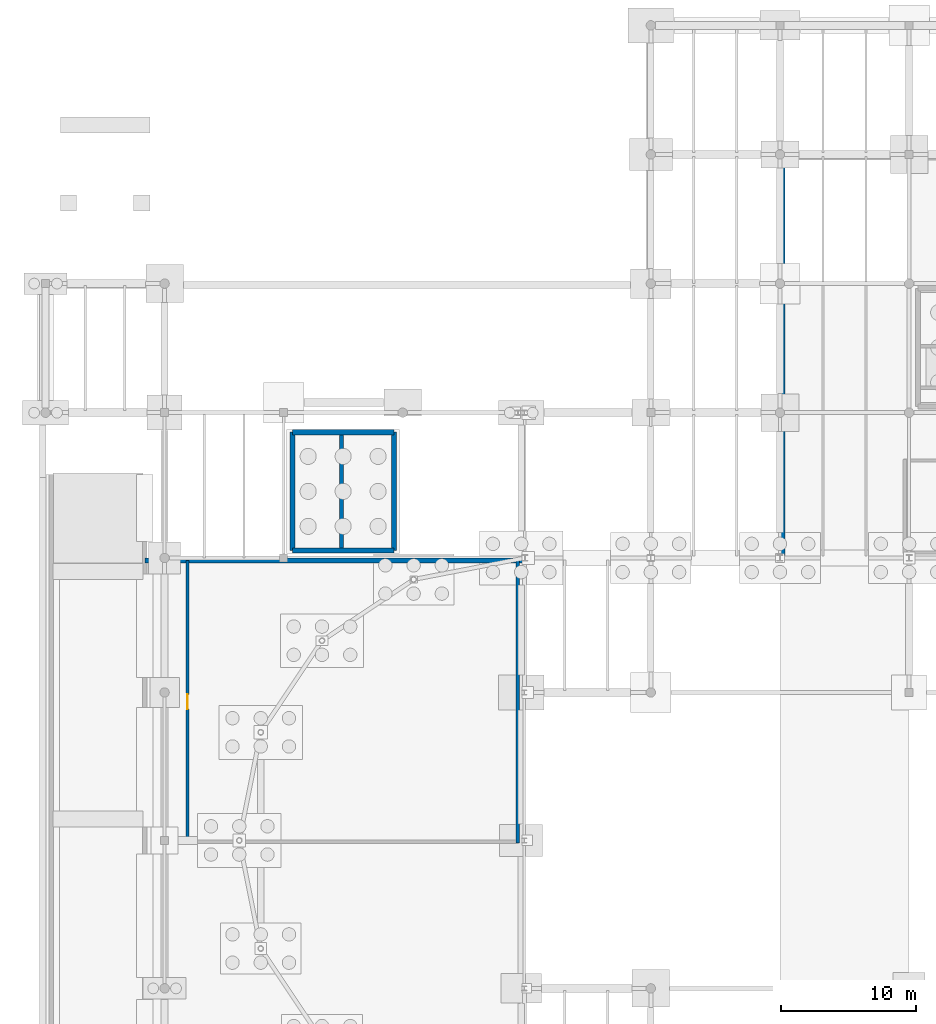
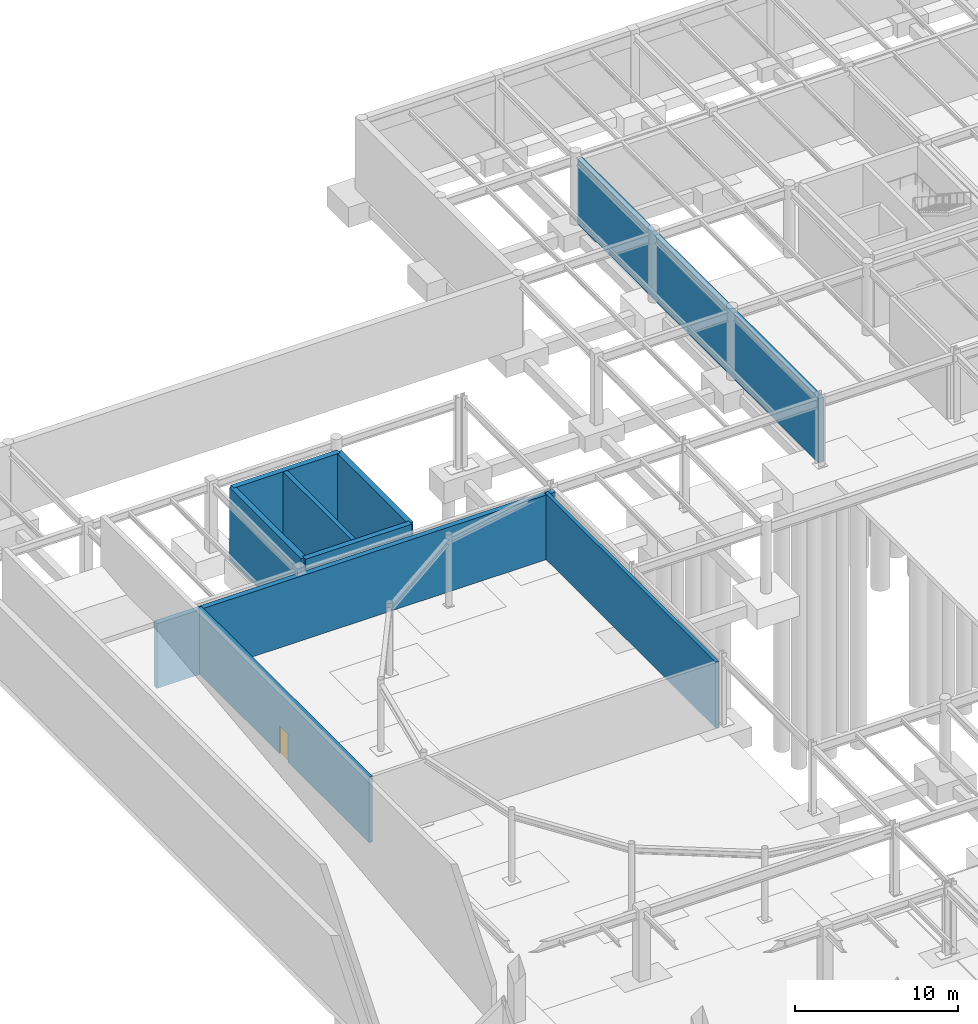
# One storey, part 43 of 50: 9 walls, 1 door, 1 opening.
"""IFC4 building model written with IfcOpenShell, lengths in metres."""

from ifc_helpers import new_model, si_unit, direction, frame, frame_2d, origin, place, context, subcontext, project, spatial, rectangle, extrude, material, layer, layer_set, type_object, element, fill, save


model = new_model("IFC4")

# Units and contexts
model_context = context("Model", 3, precision=1e-05, world=origin(), true_north=direction((0.0, 1.0)))
body_context = subcontext(model_context, "Body", "Model", "MODEL_VIEW")
ifc_project = project(units=[si_unit("LENGTHUNIT", "METRE"), si_unit("AREAUNIT", "SQUARE_METRE"), si_unit("VOLUMEUNIT", "CUBIC_METRE"), si_unit("PLANEANGLEUNIT", "RADIAN"), si_unit("MASSUNIT", "GRAM", prefix="KILO")], contexts=[model_context])

# Site, building, storey
site_placement = place(None, origin())
site = spatial("IfcSite", under=ifc_project, at=site_placement, CompositionType="ELEMENT")
building_placement = place(site_placement, origin())
building = spatial("IfcBuilding", under=site, at=building_placement, Name="Yeouljin Market Hall", CompositionType="ELEMENT")
storey_placement = place(building_placement, frame((0.0, 0.0, -5.39990234375)))
storey = spatial("IfcBuildingStorey", under=building, at=storey_placement, Name="B1", CompositionType="ELEMENT", Elevation=-5.39990234375)

# Wall, opening, door
ifc_material_1 = material(Name="Insulated Cold-Store Panel Assembly")
ifc_layer_1 = layer(ifc_material_1, 0.239990234375)
ifc_layer_set_1 = layer_set([ifc_layer_1], Name="Insulated Cold-Store Panel Assembly")
wall_type_1 = type_object("IfcWallType", Name="Part_ColdStore_240", PredefinedType="PARTITIONING", material=ifc_layer_set_1)
wall_1_placement = place(storey_placement, frame((10.550048828125, 77.800048828125, 0.0), z_axis=(0.0, 0.0, 1.0), x_axis=(0.0, -1.0, 0.0)))
wall_1 = element("IfcWall", 1, at=wall_1_placement, inside=storey, type_object=wall_type_1, Name="Interior partition PART-B1-0020", PredefinedType="PARTITIONING", context=body_context, shape_type="SweptSolid", body=[
    extrude(rectangle(XDim=20.97998046875, YDim=0.239990234375, at=frame_2d((10.489990234375, 0.0))), origin(), (0.0, 0.0, 1.0), 4.919921875),
])
opening_placement = place(wall_1_placement, frame((9.949951171875, 0.0, 0.0)))
opening = element("IfcOpeningElement", 2, at=opening_placement, cuts=wall_1, Name="Opening D-B1-007", PredefinedType="OPENING", context=body_context, shape_type="SweptSolid", body=[
    extrude(rectangle(XDim=1.080078125, YDim=2.10009765625, at=frame_2d((0.5400390625, 1.050048828125))), frame((0.0, 0.1298828125, 0.0), z_axis=(0.0, -1.0, 0.0), x_axis=(1.0, 0.0, 0.0)), (0.0, 0.0, 1.0), 0.260009765625),
])
ifc_material_2 = material(Name="Painted Fire-Rated Steel", Category="steel")
door_type = type_object("IfcDoorType", Name="DT-FD108", OperationType="NOTDEFINED", PredefinedType="DOOR", material=ifc_material_2)
door_placement = place(opening_placement, origin())
door = element("IfcDoor", 3, at=door_placement, inside=storey, type_object=door_type, Name="Interior door D-B1-007 (Bulk Frozen Fish Cold Store)", OperationType="SINGLE_SWING_LEFT", OverallHeight=2.10009765625, OverallWidth=1.080078125, PredefinedType="DOOR", context=body_context, shape_type="SweptSolid", body=[
    extrude(rectangle(XDim=1.080078125, YDim=2.10009765625, at=frame_2d((0.5400390625, 1.050048828125))), frame((0.0, 0.02490234375, 0.0), z_axis=(0.0, -1.0, 0.0), x_axis=(1.0, 0.0, 0.0)), (0.0, 0.0, 1.0), 0.050048828125),
])
fill(opening, door)

# Walls
wall_2_placement = place(storey_placement, frame((35.10009765625, 56.820068359375, 0.0), z_axis=(0.0, 0.0, 1.0), x_axis=(0.0, 1.0, 0.0)))
element("IfcWall", 4, at=wall_2_placement, inside=storey, type_object=wall_type_1, Name="Interior partition PART-B1-0022", PredefinedType="PARTITIONING", context=body_context, shape_type="SweptSolid", body=[
    extrude(rectangle(XDim=20.97998046875, YDim=0.239990234375, at=frame_2d((10.489990234375, 0.0))), origin(), (0.0, 0.0, 1.0), 4.919921875),
])
ifc_material_3 = material(Name="Concrete C35/45", Category="concrete")
ifc_layer_2 = layer(ifc_material_3, 0.3798828125)
ifc_layer_set_2 = layer_set([ifc_layer_2], Name="Concrete C35/45")
wall_type_2 = type_object("IfcWallType", Name="Wall_CoreShear_380", PredefinedType="SHEAR", material=ifc_layer_set_2)
for number, where, z_axis, x_axis, name in (
    (5, (18.35009765625, 78.550048828125, 0.0), (0.0, 0.0, 1.0), (1.0, 0.0, 0.0), "Core C2 substructure shear wall S"),
    (6, (25.89990234375, 87.35009765625, 0.0), (0.0, 0.0, 1.0), (-1.0, 0.0, 0.0), "Core C2 substructure shear wall N"),
):
    element("IfcWall", number, at=place(storey_placement, frame(where, z_axis=z_axis, x_axis=x_axis)), inside=storey, type_object=wall_type_2, Name=name, PredefinedType="SHEAR", context=body_context, shape_type="SweptSolid", body=[
        extrude(rectangle(XDim=7.5498046875, YDim=0.3798828125, at=frame_2d((3.77490234375, 0.0))), origin(), (0.0, 0.0, 1.0), 5.39990234375),
    ])
for number, where, z_axis, x_axis, name in (
    (7, (18.35009765625, 87.35009765625, 0.0), (0.0, 0.0, 1.0), (0.0, -1.0, 0.0), "Core C2 substructure shear wall W"),
    (8, (25.89990234375, 78.550048828125, 0.0), (0.0, 0.0, 1.0), (0.0, 1.0, 0.0), "Core C2 substructure shear wall E"),
):
    element("IfcWall", number, at=place(storey_placement, frame(where, z_axis=z_axis, x_axis=x_axis)), inside=storey, type_object=wall_type_2, Name=name, PredefinedType="SHEAR", context=body_context, shape_type="SweptSolid", body=[
        extrude(rectangle(XDim=8.800048828125, YDim=0.3798828125, at=frame_2d((4.39990234375, 0.0))), origin(), (0.0, 0.0, 1.0), 5.39990234375),
    ])
ifc_material_4 = material(Name="Concrete C35/45", Category="concrete")
ifc_layer_3 = layer(ifc_material_4, 0.360107421875)
ifc_layer_set_3 = layer_set([ifc_layer_3], Name="Concrete C35/45")
wall_type_3 = type_object("IfcWallType", Name="Wall_Retaining_RC360", PredefinedType="USERDEFINED", material=ifc_layer_set_3)
wall_3_placement = place(storey_placement, frame((7.39990234375, 77.800048828125, 0.0), z_axis=(0.0, 0.0, 1.0), x_axis=(1.0, 0.0, 0.0)))
element("IfcWall", 9, at=wall_3_placement, inside=storey, type_object=wall_type_3, Name="Exterior wall W-B1-N1", ObjectType="RETAININGWALL", PredefinedType="USERDEFINED", context=body_context, shape_type="SweptSolid", body=[
    extrude(rectangle(XDim=28.25, YDim=0.360107421875, at=frame_2d((14.125, 0.0))), origin(), (0.0, 0.0, 1.0), 4.849853515625),
])
wall_4_placement = place(storey_placement, frame((54.800048828125, 78.199951171875, 0.0), z_axis=(0.0, 0.0, 1.0), x_axis=(0.0, 1.0, 0.0)))
element("IfcWall", 10, at=wall_4_placement, inside=storey, type_object=wall_type_3, Name="Exterior wall W-B1-NW", ObjectType="RETAININGWALL", PredefinedType="USERDEFINED", context=body_context, shape_type="SweptSolid", body=[
    extrude(rectangle(XDim=29.60009765625, YDim=0.360107421875, at=frame_2d((14.800048828125, 0.0))), origin(), (0.0, 0.0, 1.0), 4.849853515625),
])
ifc_material_5 = material(Name="Concrete C35/45", Category="concrete")
ifc_layer_4 = layer(ifc_material_5, 0.300048828125)
ifc_layer_set_4 = layer_set([ifc_layer_4], Name="Concrete C35/45")
wall_type_4 = type_object("IfcWallType", Name="Wall_ShaftShear_300", PredefinedType="SHEAR", material=ifc_layer_set_4)
wall_5_placement = place(storey_placement, frame((22.0, 78.75, 0.0), z_axis=(0.0, 0.0, 1.0), x_axis=(0.0, 1.0, 0.0)))
element("IfcWall", 11, at=wall_5_placement, inside=storey, type_object=wall_type_4, Name="Core C2 substructure divider wall", PredefinedType="SHEAR", context=body_context, shape_type="SweptSolid", body=[
    extrude(rectangle(XDim=8.39990234375, YDim=0.300048828125, at=frame_2d((4.199951171875, 0.0))), origin(), (0.0, 0.0, 1.0), 5.39990234375),
])

save(model, "model.ifc")
